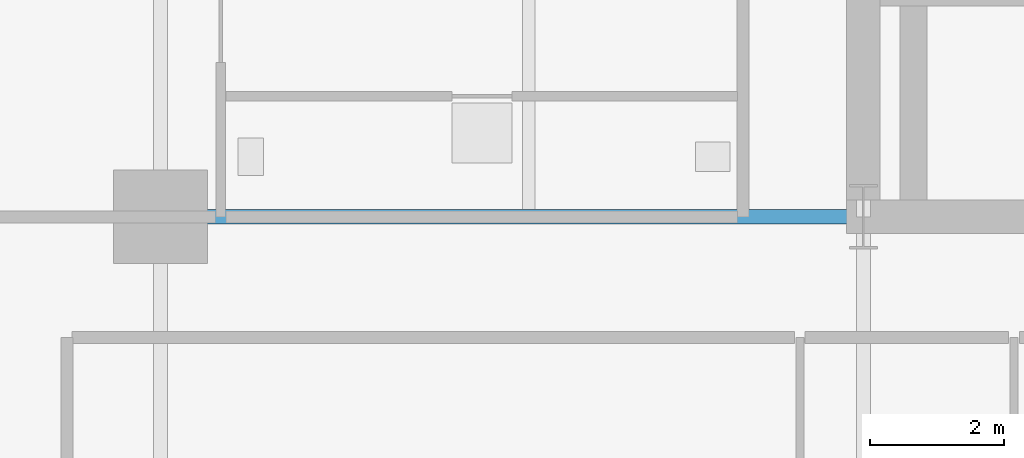
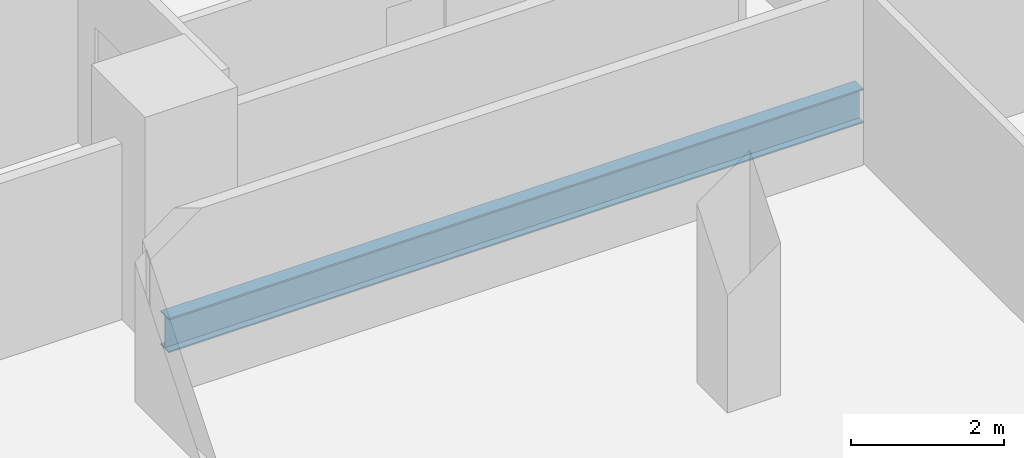
# One storey, part 5 of 23: 1 beam.
"""IFC4 building model written with IfcOpenShell, lengths in metres."""

from ifc_helpers import new_model, si_unit, direction, frame, origin, origin_2d, place, context, subcontext, project, spatial, i_section, extrude, material, material_profile, profile_set, type_object, element, save


model = new_model("IFC4")

# Units and contexts
model_context = context("Model", 3, precision=1e-05, world=origin(), true_north=direction((0.0, 1.0)))
body_context = subcontext(model_context, "Body", "Model", "MODEL_VIEW")
ifc_project = project(units=[si_unit("LENGTHUNIT", "METRE"), si_unit("AREAUNIT", "SQUARE_METRE"), si_unit("VOLUMEUNIT", "CUBIC_METRE"), si_unit("PLANEANGLEUNIT", "RADIAN"), si_unit("MASSUNIT", "GRAM", prefix="KILO")], contexts=[model_context])

# Site, building, storey
site_placement = place(None, origin())
site = spatial("IfcSite", under=ifc_project, at=site_placement, CompositionType="ELEMENT")
building_placement = place(site_placement, origin())
building = spatial("IfcBuilding", under=site, at=building_placement, Name="Barlavira Tower and Art Museum", CompositionType="ELEMENT")
storey_placement = place(building_placement, frame((0.0, 0.0, 36.0)))
storey = spatial("IfcBuildingStorey", under=building, at=storey_placement, Name="L07", CompositionType="ELEMENT", Elevation=36.0)

# Beam
ifc_material = material(Name="Steel S355", Category="steel")
ifc_material_profile = material_profile(ifc_material, i_section(OverallWidth=0.214111328125, OverallDepth=0.549072265625, WebThickness=0.0146484375, FlangeThickness=0.023681640625, at=origin_2d()), Name="W530x138.0")
ifc_profile_set = profile_set([ifc_material_profile], Name="Steel S355")
beam_type = type_object("IfcBeamType", Name="Zone 1 Primary Floor Girder W530x138 Steel S355", PredefinedType="BEAM", material=ifc_profile_set)
beam_placement = place(storey_placement, frame((-17.0, -7.5, -0.494384765625), z_axis=(1.0, 0.0, 0.0), x_axis=(0.0, 1.0, 0.0)))
element("IfcBeam", 1, at=beam_placement, inside=storey, type_object=beam_type, Name="L07 Girder R-W1", PredefinedType="BEAM", context=body_context, shape_type="SweptSolid", body=[
    extrude(i_section(OverallWidth=0.214111328125, OverallDepth=0.549072265625, WebThickness=0.0146484375, FlangeThickness=0.023681640625, at=origin_2d()), origin(), (0.0, 0.0, 1.0), 10.5),
])

save(model, "model.ifc")
